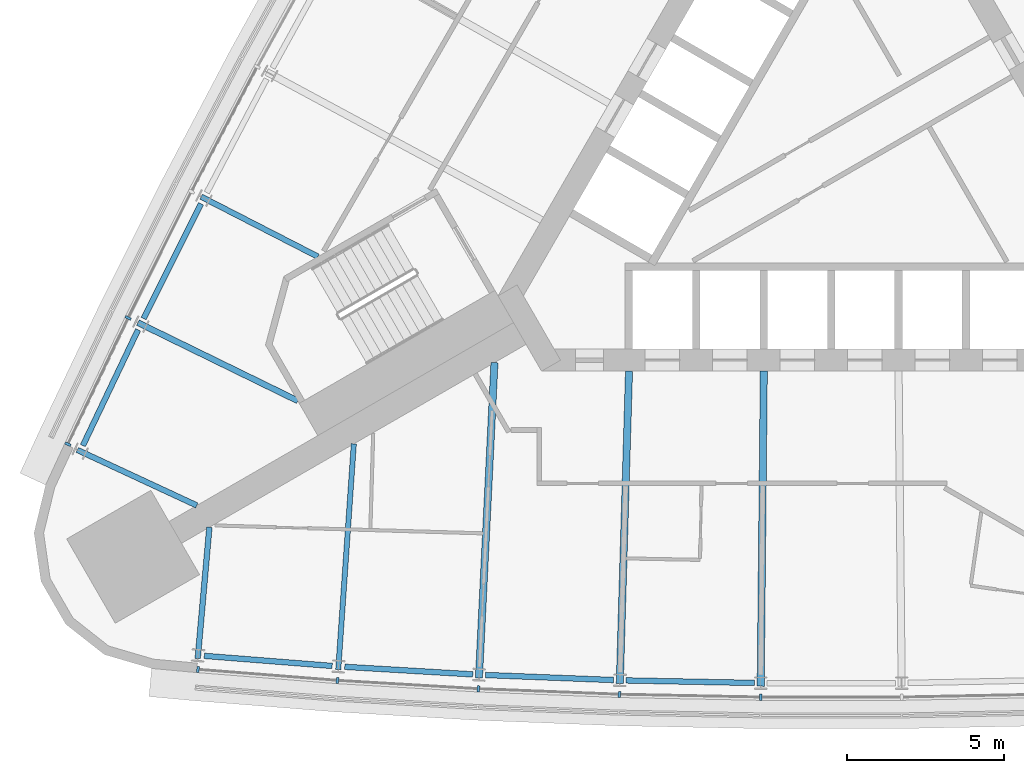
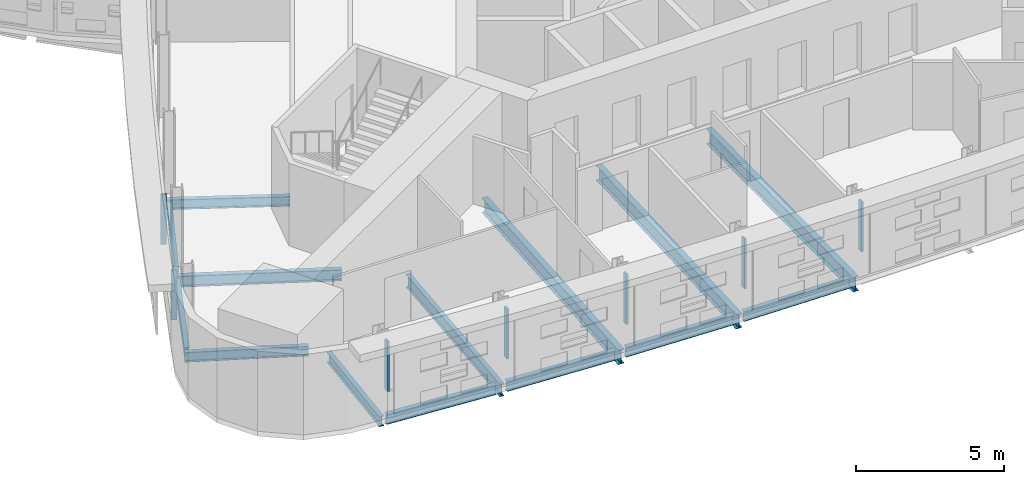
# One storey, part 4 of 17: 14 beams, 7 members, 2 elements without a shape of their own.
"""IFC4 building model written with IfcOpenShell, lengths in metres."""

from ifc_helpers import new_model, si_unit, direction, frame, origin, origin_2d, place, context, subcontext, project, spatial, rectangle, i_section, extrude, material, material_profile, profile_set, type_object, element, aggregate, save


model = new_model("IFC4")

# Units and contexts
model_context = context("Model", 3, precision=1e-05, world=origin(), true_north=direction((0.0, 1.0)))
body_context = subcontext(model_context, "Body", "Model", "MODEL_VIEW")
ifc_project = project(units=[si_unit("LENGTHUNIT", "METRE"), si_unit("AREAUNIT", "SQUARE_METRE"), si_unit("VOLUMEUNIT", "CUBIC_METRE"), si_unit("PLANEANGLEUNIT", "RADIAN"), si_unit("MASSUNIT", "GRAM", prefix="KILO")], contexts=[model_context])

# Site, building, storey
site_placement = place(None, origin())
site = spatial("IfcSite", under=ifc_project, at=site_placement, CompositionType="ELEMENT")
building_placement = place(site_placement, origin())
building = spatial("IfcBuilding", under=site, at=building_placement, Name="Noor Cloister Tower", CompositionType="ELEMENT")
storey_placement = place(building_placement, frame((0.0, 0.0, 95.10009765625)))
storey = spatial("IfcBuildingStorey", under=building, at=storey_placement, Name="L24", CompositionType="ELEMENT", Elevation=95.10009765625)

# Curtain wall, members
ifc_material_1 = material(Name="Aluminium 6063-T6 anodised", Category="aluminium")
curtain_wall_type = type_object("IfcCurtainWallType", Name="Ribbon curtain wall, lower tower CW1", PredefinedType="NOTDEFINED", material=ifc_material_1)
curtain_wall_1_placement = place(storey_placement, origin())
curtain_wall_1 = element("IfcCurtainWall", 1, at=curtain_wall_1_placement, inside=storey, type_object=curtain_wall_type, Name="CW1 L24 NW run 2", PredefinedType="NOTDEFINED")
ifc_material_2 = material(Name="Aluminium 6063-T6 anodised", Category="aluminium")
ifc_material_profile_1 = material_profile(ifc_material_2, rectangle(XDim=0.199951171875, YDim=0.080078125, at=origin_2d()), Name="200 x 80 mullion")
ifc_profile_set_1 = profile_set([ifc_material_profile_1], Name="Aluminium 6063-T6 anodised")
member_type = type_object("IfcMemberType", Name="Mullion CW1 80 x 200", PredefinedType="MULLION", material=ifc_profile_set_1)
member_1_placement = place(storey_placement, frame((-22.40185546875, -5.23046875, 1.099853515625), z_axis=(0.0, 0.0, 1.0), x_axis=(0.898389614214, -0.439199386466, 0.0)))
member_1 = element("IfcMember", 2, at=member_1_placement, type_object=member_type, Name="CW1 mullion 4", PredefinedType="MULLION", context=body_context, shape_type="SweptSolid", body=[
    extrude(rectangle(XDim=0.199951171875, YDim=0.080078125, at=origin_2d()), origin(), (0.0, 0.0, 1.0), 2.050048828125),
])
member_2_placement = place(storey_placement, frame((-24.32080078125, -9.25537109375, 1.099853515625), z_axis=(0.0, 0.0, 1.0), x_axis=(0.902668475712, -0.430336639105, 0.0)))
member_2 = element("IfcMember", 3, at=member_2_placement, type_object=member_type, Name="CW1 mullion 5", PredefinedType="MULLION", context=body_context, shape_type="SweptSolid", body=[
    extrude(rectangle(XDim=0.199951171875, YDim=0.080078125, at=origin_2d()), origin(), (0.0, 0.0, 1.0), 2.050048828125),
])
aggregate(curtain_wall_1, [member_1, member_2])

curtain_wall_2_placement = place(storey_placement, origin())
curtain_wall_2 = element("IfcCurtainWall", 4, at=curtain_wall_2_placement, inside=storey, type_object=curtain_wall_type, Name="CW1 L24 S run 3", PredefinedType="NOTDEFINED")
member_3_placement = place(storey_placement, frame((-20.17578125, -16.434814453125, 1.099853515625), z_axis=(0.0, 0.0, 1.0), x_axis=(0.078651776212, 0.996902150714, 0.0)))
member_3 = element("IfcMember", 5, at=member_3_placement, type_object=member_type, Name="CW1 mullion 1", PredefinedType="MULLION", context=body_context, shape_type="SweptSolid", body=[
    extrude(rectangle(XDim=0.199951171875, YDim=0.080078125, at=origin_2d()), origin(), (0.0, 0.0, 1.0), 2.050048828125),
])
member_4_placement = place(storey_placement, frame((-15.730712890625, -16.785400390625, 1.099853515625), z_axis=(0.0, 0.0, 1.0), x_axis=(0.068836981101, 0.997627921639, 0.0)))
member_4 = element("IfcMember", 6, at=member_4_placement, type_object=member_type, Name="CW1 mullion 2", PredefinedType="MULLION", context=body_context, shape_type="SweptSolid", body=[
    extrude(rectangle(XDim=0.199951171875, YDim=0.080078125, at=origin_2d()), origin(), (0.0, 0.0, 1.0), 2.050048828125),
])
member_5_placement = place(storey_placement, frame((-11.240478515625, -17.05078125, 1.099853515625), z_axis=(0.0, 0.0, 1.0), x_axis=(0.049188322705, 0.998789521826, 0.0)))
member_5 = element("IfcMember", 7, at=member_5_placement, type_object=member_type, Name="CW1 mullion 3", PredefinedType="MULLION", context=body_context, shape_type="SweptSolid", body=[
    extrude(rectangle(XDim=0.199951171875, YDim=0.080078125, at=origin_2d()), origin(), (0.0, 0.0, 1.0), 2.050048828125),
])
member_6_placement = place(storey_placement, frame((-6.74609375, -17.227783203125, 1.099853515625), z_axis=(0.0, 0.0, 1.0), x_axis=(0.029520625259, 0.999564171369, 0.0)))
member_6 = element("IfcMember", 8, at=member_6_placement, type_object=member_type, Name="CW1 mullion 4", PredefinedType="MULLION", context=body_context, shape_type="SweptSolid", body=[
    extrude(rectangle(XDim=0.199951171875, YDim=0.080078125, at=origin_2d()), origin(), (0.0, 0.0, 1.0), 2.050048828125),
])
member_7_placement = place(storey_placement, frame((-2.2490234375, -17.31640625, 1.099853515625), z_axis=(0.0, 0.0, 1.0), x_axis=(0.009841473527, 0.999951571527, 0.0)))
member_7 = element("IfcMember", 9, at=member_7_placement, type_object=member_type, Name="CW1 mullion 5", PredefinedType="MULLION", context=body_context, shape_type="SweptSolid", body=[
    extrude(rectangle(XDim=0.199951171875, YDim=0.080078125, at=origin_2d()), origin(), (0.0, 0.0, 1.0), 2.050048828125),
])
aggregate(curtain_wall_2, [member_3, member_4, member_5, member_6, member_7])

# Beams
ifc_material_3 = material(Name="Steel ASTM A992 Gr 50", Category="steel")
ifc_material_profile_2 = material_profile(ifc_material_3, i_section(OverallWidth=0.177978515625, OverallDepth=0.406005859375, WebThickness=0.0078125, FlangeThickness=0.0126953125, FilletRadius=0.01025390625, at=origin_2d()), Name="W410x60")
ifc_profile_set_2 = profile_set([ifc_material_profile_2], Name="Steel ASTM A992 Gr 50")
beam_type_1 = type_object("IfcBeamType", Name="Radial beam W410x60", PredefinedType="BEAM", material=ifc_profile_set_2)
beam_1_placement = place(storey_placement, frame((-20.075927734375, -1.368896484375, -0.403076171875), z_axis=(0.889580472354, -0.456778483739, 0.0), x_axis=(0.456778483739, 0.889580472354, 0.0)))
element("IfcBeam", 10, at=beam_1_placement, inside=storey, type_object=beam_type_1, Name="Radial beam NW 08 L24", PredefinedType="BEAM", context=body_context, shape_type="SweptSolid", body=[
    extrude(i_section(OverallWidth=0.177978515625, OverallDepth=0.406005859375, WebThickness=0.0078125, FlangeThickness=0.0126953125, FilletRadius=0.01025390625, at=origin_2d()), origin(), (0.0, 0.0, 1.0), 4.18505859375),
])
beam_2_placement = place(storey_placement, frame((-24.0205078125, -9.43798828125, -0.403076171875), z_axis=(0.906851874526, -0.421449495989, 0.0), x_axis=(0.421449495989, 0.906851874526, 0.0)))
element("IfcBeam", 11, at=beam_2_placement, inside=storey, type_object=beam_type_1, Name="Radial beam NW 10 L24", PredefinedType="BEAM", context=body_context, shape_type="SweptSolid", body=[
    extrude(i_section(OverallWidth=0.177978515625, OverallDepth=0.406005859375, WebThickness=0.0078125, FlangeThickness=0.0126953125, FilletRadius=0.01025390625, at=origin_2d()), origin(), (0.0, 0.0, 1.0), 4.19921875),
])
beam_3_placement = place(storey_placement, frame((-20.183837890625, -16.08349609375, -0.403076171875), z_axis=(0.088480829531, 0.99607787989, 0.0), x_axis=(-0.99607787989, 0.088480829531, 0.0)))
element("IfcBeam", 12, at=beam_3_placement, inside=storey, type_object=beam_type_1, Name="Radial beam S 01 L24", PredefinedType="BEAM", context=body_context, shape_type="SweptSolid", body=[
    extrude(i_section(OverallWidth=0.177978515625, OverallDepth=0.406005859375, WebThickness=0.0078125, FlangeThickness=0.0126953125, FilletRadius=0.01025390625, at=origin_2d()), origin(), (0.0, 0.0, 1.0), 4.199462890625),
])
ifc_material_4 = material(Name="Steel ASTM A992 Gr 50", Category="steel")
ifc_material_profile_3 = material_profile(ifc_material_4, i_section(OverallWidth=0.19091796875, OverallDepth=0.45703125, WebThickness=0.009033203125, FlangeThickness=0.014404296875, FilletRadius=0.01025390625, at=origin_2d()), Name="W460x74")
ifc_profile_set_3 = profile_set([ifc_material_profile_3], Name="Steel ASTM A992 Gr 50")
beam_type_2 = type_object("IfcBeamType", Name="Radial beam W460x74", PredefinedType="BEAM", material=ifc_profile_set_3)
beam_4_placement = place(storey_placement, frame((-22.087890625, -5.384033203125, -0.4287109375), z_axis=(0.898398339132, -0.439181539052, 0.0), x_axis=(0.439181539052, 0.898398339132, 0.0)))
element("IfcBeam", 13, at=beam_4_placement, inside=storey, type_object=beam_type_2, Name="Radial beam NW 09 L24", PredefinedType="BEAM", context=body_context, shape_type="SweptSolid", body=[
    extrude(i_section(OverallWidth=0.19091796875, OverallDepth=0.45703125, WebThickness=0.009033203125, FlangeThickness=0.014404296875, FilletRadius=0.01025390625, at=origin_2d()), origin(), (0.0, 0.0, 1.0), 5.666259765625),
])
ifc_material_5 = material(Name="Steel ASTM A992 Gr 50", Category="steel")
ifc_material_profile_4 = material_profile(ifc_material_5, i_section(OverallWidth=0.166015625, OverallDepth=0.528076171875, WebThickness=0.009765625, FlangeThickness=0.013671875, FilletRadius=0.0126953125, at=origin_2d()), Name="W530x74")
ifc_profile_set_4 = profile_set([ifc_material_profile_4], Name="Steel ASTM A992 Gr 50")
beam_type_3 = type_object("IfcBeamType", Name="Radial beam W530x74", PredefinedType="BEAM", material=ifc_profile_set_4)
beam_5_placement = place(storey_placement, frame((-15.70654296875, -16.436767578125, -0.464111328125), z_axis=(0.06883811579, 0.997627843344, 0.0), x_axis=(-0.997627843344, 0.06883811579, 0.0)))
element("IfcBeam", 14, at=beam_5_placement, inside=storey, type_object=beam_type_3, Name="Radial beam S 02 L24", PredefinedType="BEAM", context=body_context, shape_type="SweptSolid", body=[
    extrude(i_section(OverallWidth=0.166015625, OverallDepth=0.528076171875, WebThickness=0.009765625, FlangeThickness=0.013671875, FilletRadius=0.0126953125, at=origin_2d()), origin(), (0.0, 0.0, 1.0), 7.210205078125),
])
ifc_material_6 = material(Name="Steel ASTM A992 Gr 50", Category="steel")
ifc_material_profile_5 = material_profile(ifc_material_6, i_section(OverallWidth=0.22802734375, OverallDepth=0.60205078125, WebThickness=0.010498046875, FlangeThickness=0.014892578125, FilletRadius=0.0126953125, at=origin_2d()), Name="W610x101")
ifc_profile_set_5 = profile_set([ifc_material_profile_5], Name="Steel ASTM A992 Gr 50")
beam_type_4 = type_object("IfcBeamType", Name="Radial beam W610x101", PredefinedType="BEAM", material=ifc_profile_set_5)
beam_6_placement = place(storey_placement, frame((-11.223388671875, -16.701904296875, -0.5009765625), z_axis=(0.049201541775, 0.998788870726, 0.0), x_axis=(-0.998788870726, 0.049201541775, 0.0)))
element("IfcBeam", 15, at=beam_6_placement, inside=storey, type_object=beam_type_4, Name="Radial beam S 03 L24", PredefinedType="BEAM", context=body_context, shape_type="SweptSolid", body=[
    extrude(i_section(OverallWidth=0.22802734375, OverallDepth=0.60205078125, WebThickness=0.010498046875, FlangeThickness=0.014892578125, FilletRadius=0.0126953125, at=origin_2d()), origin(), (0.0, 0.0, 1.0), 10.05810546875),
])
beam_7_placement = place(storey_placement, frame((-6.73583984375, -16.878662109375, -0.5009765625), z_axis=(0.029528056482, 0.999563951871, 0.0), x_axis=(-0.999563951871, 0.029528056482, 0.0)))
element("IfcBeam", 16, at=beam_7_placement, inside=storey, type_object=beam_type_4, Name="Radial beam S 04 L24", PredefinedType="BEAM", context=body_context, shape_type="SweptSolid", body=[
    extrude(i_section(OverallWidth=0.22802734375, OverallDepth=0.60205078125, WebThickness=0.010498046875, FlangeThickness=0.014892578125, FilletRadius=0.0126953125, at=origin_2d()), origin(), (0.0, 0.0, 1.0), 9.954833984375),
])
beam_8_placement = place(storey_placement, frame((-2.24560546875, -16.967041015625, -0.5009765625), z_axis=(0.009848983597, 0.999951497585, 0.0), x_axis=(-0.999951497585, 0.009848983597, 0.0)))
element("IfcBeam", 17, at=beam_8_placement, inside=storey, type_object=beam_type_4, Name="Radial beam S 05 L24", PredefinedType="BEAM", context=body_context, shape_type="SweptSolid", body=[
    extrude(i_section(OverallWidth=0.22802734375, OverallDepth=0.60205078125, WebThickness=0.010498046875, FlangeThickness=0.014892578125, FilletRadius=0.0126953125, at=origin_2d()), origin(), (0.0, 0.0, 1.0), 10.039306640625),
])
ifc_material_7 = material(Name="Steel ASTM A992 Gr 50", Category="steel")
ifc_material_profile_6 = material_profile(ifc_material_7, i_section(OverallWidth=0.177978515625, OverallDepth=0.406005859375, WebThickness=0.0078125, FlangeThickness=0.0126953125, FilletRadius=0.01025390625, at=origin_2d()), Name="W410x60")
ifc_profile_set_6 = profile_set([ifc_material_profile_6], Name="Steel ASTM A992 Gr 50")
beam_type_5 = type_object("IfcBeamType", Name="Spandrel beam W410x60", PredefinedType="SPANDREL", material=ifc_profile_set_6)
for number, where, z_axis, x_axis, name in (
    (18, (-20.076171875, -1.593994140625, -0.403076171875), (-0.448025614309, -0.894020720634, 0.0), (0.894020720634, -0.448025614309, 0.0), "Spandrel beam NW 08 L24"),
    (19, (-22.083984375, -5.609130859375, -0.403076171875), (-0.430341530423, -0.902666143817, 0.0), (0.902666143817, -0.430341530423, 0.0), "Spandrel beam NW 09 L24"),
    (20, (-19.97509765625, -15.999267578125, -0.403076171875), (0.996902216322, -0.078650944641, 0.0), (0.078650944641, 0.996902216322, 0.0), "Spandrel beam S 01 L24"),
    (21, (-15.49951171875, -16.348388671875, -0.403076171875), (0.998257859765, -0.059002079771, 0.0), (0.059002079771, 0.998257859765, 0.0), "Spandrel beam S 02 L24"),
    (22, (-11.01806640625, -16.609375, -0.403076171875), (0.999225288123, -0.039355095916, 0.0), (0.039355095916, 0.999225288123, 0.0), "Spandrel beam S 03 L24"),
):
    element("IfcBeam", number, at=place(storey_placement, frame(where, z_axis=z_axis, x_axis=x_axis)), inside=storey, type_object=beam_type_5, Name=name, PredefinedType="SPANDREL", context=body_context, shape_type="SweptSolid", body=[
        extrude(i_section(OverallWidth=0.177978515625, OverallDepth=0.406005859375, WebThickness=0.0078125, FlangeThickness=0.0126953125, FilletRadius=0.01025390625, at=origin_2d()), origin(), (0.0, 0.0, 1.0), 4.088134765625),
    ])
beam_9_placement = place(storey_placement, frame((-6.5322265625, -16.781982421875, -0.403076171875), z_axis=(0.999805773471, -0.019708255495, 0.0), x_axis=(0.019708255495, 0.999805773471, 0.0)))
element("IfcBeam", 23, at=beam_9_placement, inside=storey, type_object=beam_type_5, Name="Spandrel beam S 04 L24", PredefinedType="SPANDREL", context=body_context, shape_type="SweptSolid", body=[
    extrude(i_section(OverallWidth=0.177978515625, OverallDepth=0.406005859375, WebThickness=0.0078125, FlangeThickness=0.0126953125, FilletRadius=0.01025390625, at=origin_2d()), origin(), (0.0, 0.0, 1.0), 4.087890625),
])

save(model, "model.ifc")
